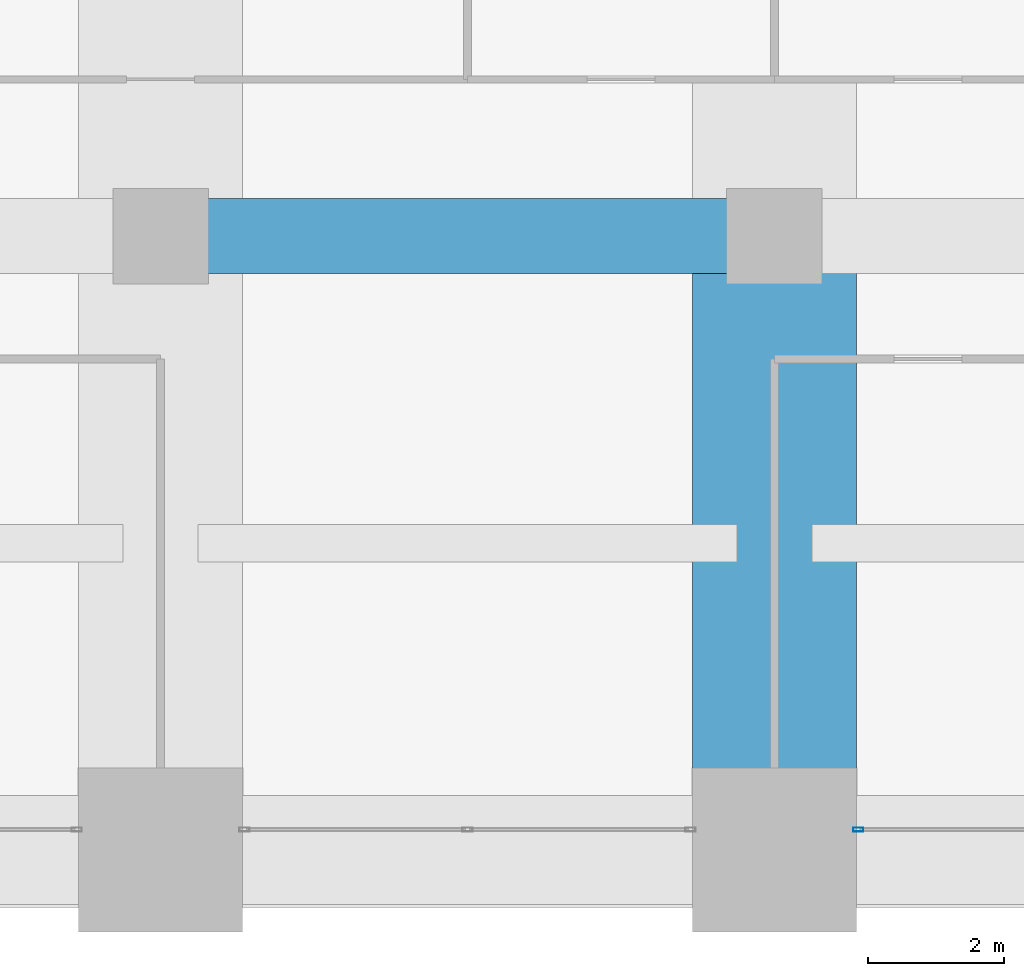
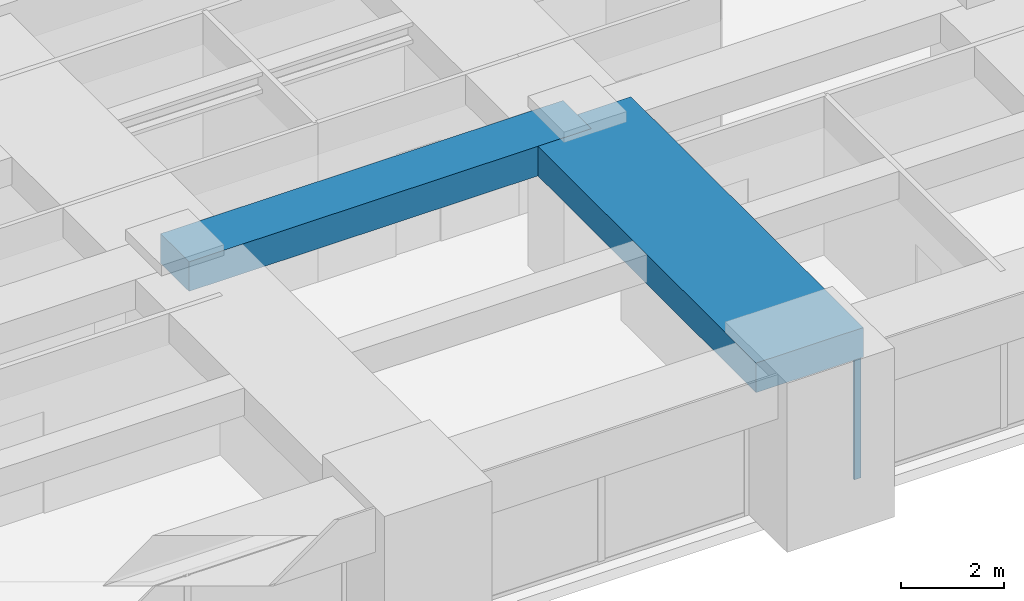
# One storey, part 7 of 34: 2 beams, 1 member, 1 element without a shape of its own.
"""IFC4 building model written with IfcOpenShell, lengths in metres."""

import ifcopenshell
import ifcopenshell.guid

model = None  # the IFC model being written
_history = None  # IfcOwnerHistory: only IFC2X3 demands one
_inside = {}  # id of a spatial element -> (the spatial element, [elements in it])
_under = {}  # id of a project, library or spatial element -> (it, [spatial elements below it])
_declared = {}  # id of a project -> (the project, [libraries it declares])
_typed = {}  # id of a type object -> (the type object, [elements of that type])
_made_of = {}  # id of a material, layer set ... -> (it, [elements and type objects made of it])


def new_model(schema):
    """Start an empty IFC model of exactly this schema.

    Asked for "IFC4X3", IfcOpenShell would pick the latest addendum, in which some entities
    have other attributes; the version numbers below select the first issue.
    IFC2X3 requires an IfcOwnerHistory on every rooted entity: one is made here for all.
    """
    global model, _history
    if schema == "IFC4X3":
        model = ifcopenshell.file(schema_version=(4, 3, 0, 0))
    else:
        model = ifcopenshell.file(schema=schema)
    _inside.clear()
    _under.clear()
    _declared.clear()
    _typed.clear()
    _made_of.clear()
    _history = None
    if model.schema == "IFC2X3":
        org = make("IfcOrganization", Name="unknown")
        user = make(
            "IfcPersonAndOrganization",
            ThePerson=make("IfcPerson", FamilyName="unknown"),
            TheOrganization=org,
        )
        app = make(
            "IfcApplication",
            ApplicationDeveloper=org,
            Version="unknown",
            ApplicationFullName="unknown",
            ApplicationIdentifier="unknown",
        )
        _history = make(
            "IfcOwnerHistory",
            OwningUser=user,
            OwningApplication=app,
            ChangeAction="ADDED",
            CreationDate=0,
        )
    return model


def make(cls, **values):
    """One entity of the class cls with the attributes given. An attribute that is None is left unset."""
    return model.create_entity(
        cls, **{name: value for name, value in values.items() if value is not None}
    )


def rooted(cls, **values):
    """An entity with a GlobalId (a new one), such as an element, a storey or a relation."""
    return make(cls, GlobalId=ifcopenshell.guid.new(), OwnerHistory=_history, **values)


def si_unit(unit_type, name, prefix=None):
    """IfcSIUnit, for example si_unit("LENGTHUNIT", "METRE", prefix="MILLI")."""
    return make("IfcSIUnit", UnitType=unit_type, Prefix=prefix, Name=name)


def assignment(units):
    """IfcUnitAssignment: the units of a project."""
    return None if units is None else make("IfcUnitAssignment", Units=units)


def point(xyz):
    """IfcCartesianPoint."""
    return None if xyz is None else make("IfcCartesianPoint", Coordinates=xyz)


def direction(xyz):
    """IfcDirection."""
    return None if xyz is None else make("IfcDirection", DirectionRatios=xyz)


def frame(location, z_axis=None, x_axis=None):
    """IfcAxis2Placement3D, a coordinate frame: its origin and axes. An axis left out is left unset."""
    return make(
        "IfcAxis2Placement3D",
        Location=point(location),
        Axis=direction(z_axis),
        RefDirection=direction(x_axis),
    )


def frame_2d(location, x_axis=None):
    """IfcAxis2Placement2D, a coordinate frame in the plane: its origin and x axis."""
    return make(
        "IfcAxis2Placement2D", Location=point(location), RefDirection=direction(x_axis)
    )


def origin():
    """The frame at (0, 0, 0) with its axes left unset."""
    return frame((0.0, 0.0, 0.0))


def origin_2d():
    """The frame at (0, 0) in the plane with its x axis left unset."""
    return frame_2d((0.0, 0.0))


def place(relative_to, where):
    """IfcLocalPlacement: puts the frame where relative to a parent placement (None: the world)."""
    return make(
        "IfcLocalPlacement", PlacementRelTo=relative_to, RelativePlacement=where
    )


def context(
    kind, dimensions, precision=None, world=None, true_north=None, identifier=None
):
    """IfcGeometricRepresentationContext, for example the 3D "Model" context."""
    return make(
        "IfcGeometricRepresentationContext",
        ContextIdentifier=identifier,
        ContextType=kind,
        CoordinateSpaceDimension=dimensions,
        Precision=precision,
        WorldCoordinateSystem=world,
        TrueNorth=true_north,
    )


def subcontext(parent, identifier, kind, view, scale=None):
    """IfcGeometricRepresentationSubContext, for example "Body" below "Model"."""
    return make(
        "IfcGeometricRepresentationSubContext",
        ContextIdentifier=identifier,
        ContextType=kind,
        ParentContext=parent,
        TargetScale=scale,
        TargetView=view,
    )


def project(units=None, contexts=None):
    """IfcProject with its units and contexts."""
    return rooted(
        "IfcProject",
        Name="project",
        RepresentationContexts=contexts,
        UnitsInContext=assignment(units),
    )


def spatial(cls, under=None, at=None, **own):
    """A site, building, storey or space (cls), placed at a placement, below another one or the project."""
    s = rooted(cls, ObjectPlacement=at, **own)
    if under is not None:
        _under.setdefault(under.id(), (under, []))[1].append(s)
    return s


def profile(cls, at=None, kind="AREA", **sizes):
    """A parametric profile (cls). Its sizes go by their IFC names, for example OverallWidth=200.0."""
    return make(cls, ProfileType=kind, Position=at, **sizes)


def rectangle(**sizes):
    """IfcRectangleProfileDef."""
    return profile("IfcRectangleProfileDef", **sizes)


def hollow_rectangle(**sizes):
    """IfcRectangleHollowProfileDef."""
    return profile("IfcRectangleHollowProfileDef", **sizes)


def extrude(swept, where, along, depth):
    """IfcExtrudedAreaSolid: the profile swept, set in the frame where, extruded along a direction by depth."""
    return make(
        "IfcExtrudedAreaSolid",
        SweptArea=swept,
        Position=where,
        ExtrudedDirection=direction(along),
        Depth=depth,
    )


def shape(context_of_items, identifier, shape_type, items):
    """IfcShapeRepresentation: the items that make up one representation, for example the "Body"."""
    return make(
        "IfcShapeRepresentation",
        ContextOfItems=context_of_items,
        RepresentationIdentifier=identifier,
        RepresentationType=shape_type,
        Items=items,
    )


def material(Name=None, Category=None):
    """IfcMaterial."""
    return make("IfcMaterial", Name=Name, Category=Category)


def material_profile(
    of_material, cross_section, Name=None, Category=None, Priority=None
):
    """IfcMaterialProfile: a cross section and its material."""
    return make(
        "IfcMaterialProfile",
        Name=Name,
        Material=of_material,
        Profile=cross_section,
        Priority=Priority,
        Category=Category,
    )


def profile_set(profiles, Name=None, composite=None):
    """IfcMaterialProfileSet."""
    return make(
        "IfcMaterialProfileSet",
        Name=Name,
        MaterialProfiles=profiles,
        CompositeProfile=composite,
    )


def made_of(thing, what):
    """Note that an element or type object is made of a material, layer set ...; save() writes the relation."""
    if what is not None:
        _made_of.setdefault(what.id(), (what, []))[1].append(thing)
    return thing


def type_object(cls, material=None, **own):
    """A type object (cls), such as IfcWallType, which elements share."""
    return made_of(rooted(cls, **own), material)


def element(
    cls,
    number,
    at=None,
    inside=None,
    cuts=None,
    type_object=None,
    material=None,
    context=None,
    identifier="Body",
    shape_type=None,
    held_by="IfcProductDefinitionShape",
    body=None,
    shapes=None,
    **own,
):
    """One element of the class cls, such as IfcWall. Its Tag is "e" and its number.

    at: its placement. inside: the storey or other place that contains it. cuts: it is an
    opening in that element (IfcRelVoidsElement). A single representation is given by context,
    identifier, shape_type and body (its items); several are given by shapes. held_by: the class
    of the entity that holds the representations. save() writes the other relations.
    """
    e = rooted(cls, Tag="e%d" % number, ObjectPlacement=at, **own)
    if body is not None:
        shapes = [shape(context, identifier, shape_type, body)]
    if shapes is not None:
        e.Representation = make(held_by, Representations=shapes)
    if inside is not None:
        _inside.setdefault(inside.id(), (inside, []))[1].append(e)
    if cuts is not None:
        rooted(
            "IfcRelVoidsElement", RelatingBuildingElement=cuts, RelatedOpeningElement=e
        )
    if type_object is not None:
        _typed.setdefault(type_object.id(), (type_object, []))[1].append(e)
    return made_of(e, material)


def aggregate(whole, parts):
    """IfcRelAggregates: a whole, such as a stair, and the parts it consists of."""
    return rooted("IfcRelAggregates", RelatingObject=whole, RelatedObjects=parts)


def save(model, path):
    """Write the relations noted so far, then the file.

    IfcRelAggregates (storeys below a building ...), IfcRelContainedInSpatialStructure (elements
    in a storey), IfcRelDefinesByType, IfcRelAssociatesMaterial and IfcRelDeclares: one each for
    every whole, place, type object, material and project.
    """
    for whole, parts in _under.values():
        aggregate(whole, parts)
    for where, things in _inside.values():
        rooted(
            "IfcRelContainedInSpatialStructure",
            RelatedElements=things,
            RelatingStructure=where,
        )
    for kind, things in _typed.values():
        rooted("IfcRelDefinesByType", RelatedObjects=things, RelatingType=kind)
    for what, things in _made_of.values():
        rooted("IfcRelAssociatesMaterial", RelatedObjects=things, RelatingMaterial=what)
    for by, libraries in _declared.values():
        rooted("IfcRelDeclares", RelatingContext=by, RelatedDefinitions=libraries)
    model.write(path)


model = new_model("IFC4")

# Units and contexts
model_context = context("Model", 3, precision=1e-05, world=origin(), true_north=direction((0.0, 1.0)))
body_context = subcontext(model_context, "Body", "Model", "MODEL_VIEW")
ifc_project = project(units=[si_unit("LENGTHUNIT", "METRE"), si_unit("AREAUNIT", "SQUARE_METRE"), si_unit("VOLUMEUNIT", "CUBIC_METRE"), si_unit("PLANEANGLEUNIT", "RADIAN"), si_unit("MASSUNIT", "GRAM", prefix="KILO")], contexts=[model_context])

# Site, building, storey
site_placement = place(None, origin())
site = spatial("IfcSite", under=ifc_project, at=site_placement, CompositionType="ELEMENT")
building_placement = place(site_placement, origin())
building = spatial("IfcBuilding", under=site, at=building_placement, Name="Zorevar Civic Tower", CompositionType="ELEMENT")
storey_placement = place(building_placement, frame((0.0, 0.0, 226.199951171875)))
storey = spatial("IfcBuildingStorey", under=building, at=storey_placement, Name="L55", CompositionType="ELEMENT", Elevation=226.199951171875)

# Beams
ifc_material_1 = material(Name="Concrete C50/60", Category="concrete")
ifc_material_profile_1 = material_profile(ifc_material_1, rectangle(XDim=1.10009765625, YDim=0.699951171875, at=origin_2d()), Name="RC 1100x700")
ifc_profile_set_1 = profile_set([ifc_material_profile_1], Name="Concrete C50/60")
beam_type_1 = type_object("IfcBeamType", Name="Beam RC 1100x700", PredefinedType="BEAM", material=ifc_profile_set_1)
beam_1_placement = place(storey_placement, frame((18.0, 9.0, 3.400146484375), z_axis=(1.0, 0.0, 0.0), x_axis=(0.0, 1.0, 0.0)))
element("IfcBeam", 1, at=beam_1_placement, inside=storey, type_object=beam_type_1, Name="Girder L56", PredefinedType="BEAM", context=body_context, shape_type="SweptSolid", body=[
    extrude(rectangle(XDim=1.10009765625, YDim=0.699951171875, at=origin_2d()), origin(), (0.0, 0.0, 1.0), 9.0),
])
ifc_material_2 = material(Name="Concrete C50/60", Category="concrete")
ifc_material_profile_2 = material_profile(ifc_material_2, rectangle(XDim=2.39990234375, YDim=0.699951171875, at=origin_2d()), Name="RC 2400x700")
ifc_profile_set_2 = profile_set([ifc_material_profile_2], Name="Concrete C50/60")
beam_type_2 = type_object("IfcBeamType", Name="Beam RC 2400x700", PredefinedType="BEAM", material=ifc_profile_set_2)
beam_2_placement = place(storey_placement, frame((27.0, 0.0, 3.400146484375), z_axis=(0.0, 1.0, 0.0), x_axis=(-1.0, 0.0, 0.0)))
element("IfcBeam", 2, at=beam_2_placement, inside=storey, type_object=beam_type_2, Name="Girder L56", PredefinedType="BEAM", context=body_context, shape_type="SweptSolid", body=[
    extrude(rectangle(XDim=2.39990234375, YDim=0.699951171875, at=origin_2d()), origin(), (0.0, 0.0, 1.0), 9.0),
])

# Curtain wall, member
ifc_material_3 = material(Name="Dark grey solar-control glass in black aluminium frame", Category="aluminium")
curtain_wall_type = type_object("IfcCurtainWallType", Name="Curtain wall CW4 high zone", PredefinedType="NOTDEFINED", material=ifc_material_3)
curtain_wall_placement = place(storey_placement, origin())
curtain_wall = element("IfcCurtainWall", 3, at=curtain_wall_placement, inside=storey, type_object=curtain_wall_type, Name="CW4 L55", PredefinedType="NOTDEFINED")
ifc_material_4 = material(Name="Aluminium, black anodised", Category="aluminium")
ifc_material_profile_3 = material_profile(ifc_material_4, hollow_rectangle(XDim=0.06005859375, YDim=0.14990234375, WallThickness=0.00390625, at=origin_2d()), Name="AL 150x60x4")
ifc_profile_set_3 = profile_set([ifc_material_profile_3], Name="Aluminium, black anodised")
member_type = type_object("IfcMemberType", Name="CW4 mullion AL 150x60x4", PredefinedType="MULLION", material=ifc_profile_set_3)
member_placement = place(storey_placement, frame((28.22998046875, 0.300048828125, 0.0), z_axis=(0.0, 0.0, 1.0), x_axis=(0.0, 1.0, 0.0)))
member = element("IfcMember", 4, at=member_placement, type_object=member_type, Name="CW4 mullion 1", PredefinedType="MULLION", context=body_context, shape_type="SweptSolid", body=[
    extrude(hollow_rectangle(XDim=0.06005859375, YDim=0.14990234375, WallThickness=0.00390625, at=origin_2d()), origin(), (0.0, 0.0, 1.0), 2.949951171875),
])
aggregate(curtain_wall, [member])

save(model, "model.ifc")
